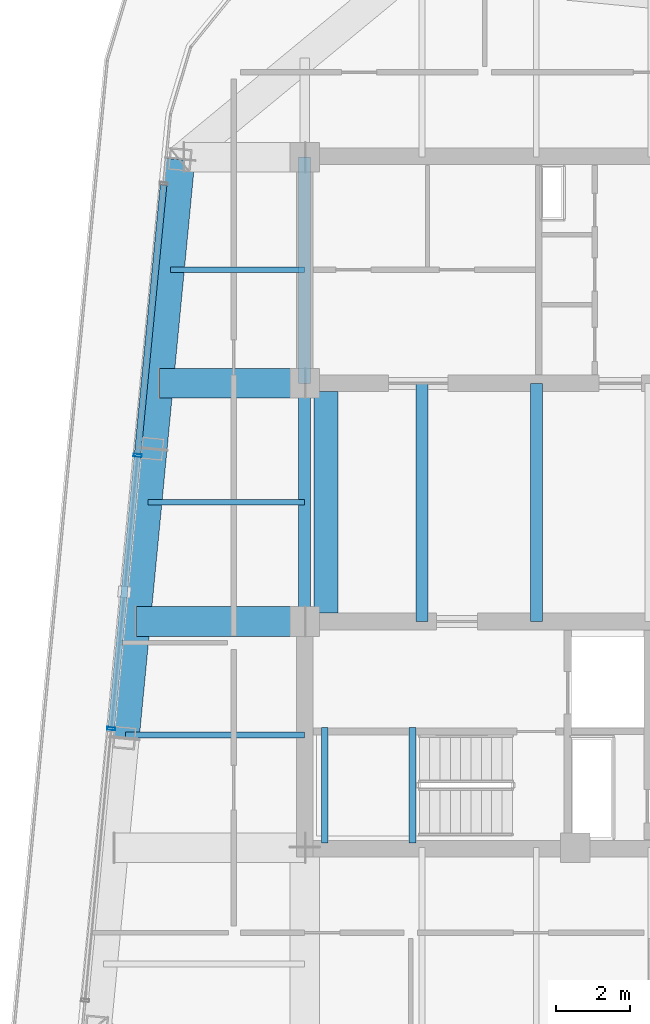
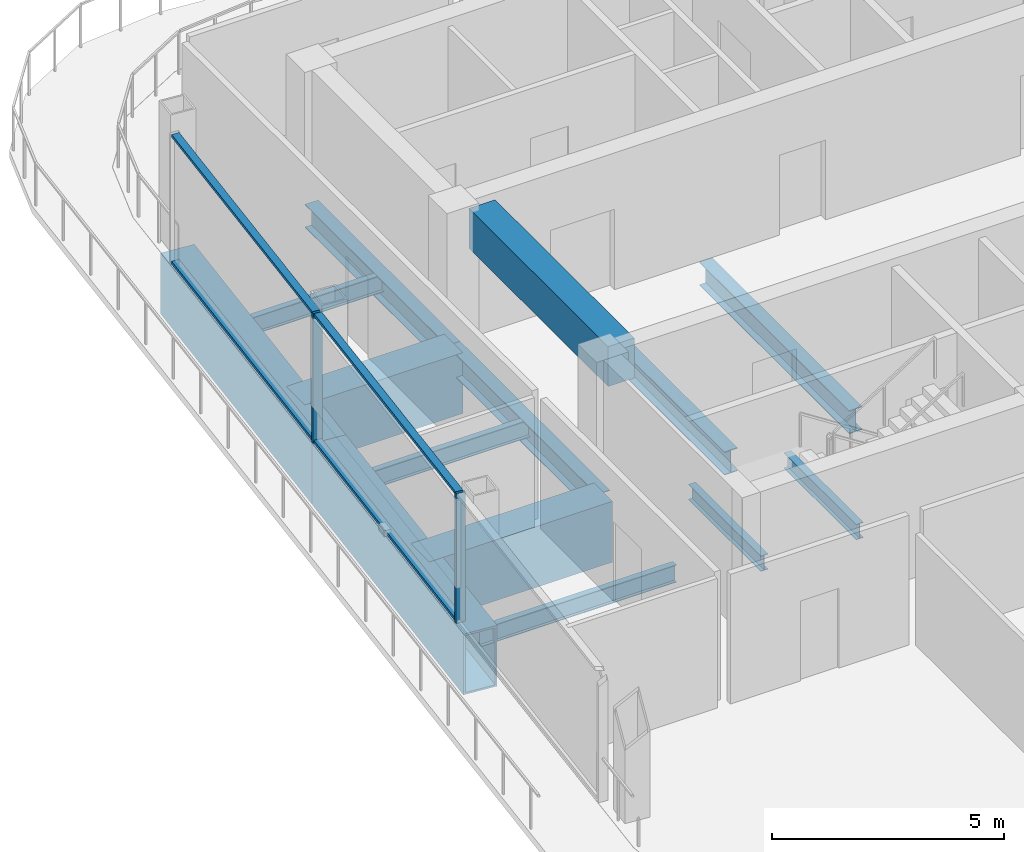
# One storey, part 4 of 20: 14 beams, 6 members, 1 element without a shape of its own.
"""IFC4 building model written with IfcOpenShell, lengths in metres."""

from ifc_helpers import new_model, si_unit, direction, frame, origin, origin_2d, place, context, subcontext, project, spatial, rectangle, hollow_rectangle, i_section, extrude, material, layer, layer_set, material_profile, profile_set, type_object, element, aggregate, save


model = new_model("IFC4")

# Units and contexts
model_context = context("Model", 3, precision=1e-05, world=origin(), true_north=direction((0.0, 1.0)))
body_context = subcontext(model_context, "Body", "Model", "MODEL_VIEW")
ifc_project = project(units=[si_unit("LENGTHUNIT", "METRE"), si_unit("AREAUNIT", "SQUARE_METRE"), si_unit("VOLUMEUNIT", "CUBIC_METRE"), si_unit("PLANEANGLEUNIT", "RADIAN"), si_unit("MASSUNIT", "GRAM", prefix="KILO")], contexts=[model_context])

# Site, building, storey
site_placement = place(None, origin())
site = spatial("IfcSite", under=ifc_project, at=site_placement, CompositionType="ELEMENT")
building_placement = place(site_placement, origin())
building = spatial("IfcBuilding", under=site, at=building_placement, Name="Qhalaya Broadcast Tower", CompositionType="ELEMENT")
storey_placement = place(building_placement, frame((0.0, 0.0, 273.35009765625)))
storey = spatial("IfcBuildingStorey", under=building, at=storey_placement, Name="L81", CompositionType="ELEMENT", Elevation=273.35009765625)

# Beams
ifc_material_1 = material(Name="Structural Steel ASTM A992 Grade 50", Category="steel")
ifc_material_profile_1 = material_profile(ifc_material_1, i_section(OverallWidth=0.154052734375, OverallDepth=0.458984375, WebThickness=0.009033203125, FlangeThickness=0.015380859375, at=origin_2d()), Name="W18X46")
ifc_profile_set_1 = profile_set([ifc_material_profile_1], Name="Structural Steel ASTM A992 Grade 50")
beam_type_1 = type_object("IfcBeamType", Name="Composite Floor Joist J04", PredefinedType="JOIST", material=ifc_profile_set_1)
beam_1_placement = place(storey_placement, frame((-14.228759765625, -5.699951171875, -0.419677734375), z_axis=(1.0, 0.0, 0.0), x_axis=(0.0, 1.0, 0.0)))
element("IfcBeam", 1, at=beam_1_placement, inside=storey, type_object=beam_type_1, Name="L81 J04 L81-JWE3W-1", PredefinedType="JOIST", context=body_context, shape_type="SweptSolid", body=[
    extrude(i_section(OverallWidth=0.154052734375, OverallDepth=0.458984375, WebThickness=0.009033203125, FlangeThickness=0.015380859375, at=origin_2d()), origin(), (0.0, 0.0, 1.0), 4.853759765625),
])
beam_2_placement = place(storey_placement, frame((-13.622314453125, 0.60009765625, -0.419677734375), z_axis=(1.0, 0.0, 0.0), x_axis=(0.0, 1.0, 0.0)))
element("IfcBeam", 2, at=beam_2_placement, inside=storey, type_object=beam_type_1, Name="L81 J04 L81-JWE4W-1", PredefinedType="JOIST", context=body_context, shape_type="SweptSolid", body=[
    extrude(i_section(OverallWidth=0.154052734375, OverallDepth=0.458984375, WebThickness=0.009033203125, FlangeThickness=0.015380859375, at=origin_2d()), origin(), (0.0, 0.0, 1.0), 4.247314453125),
])
beam_3_placement = place(storey_placement, frame((-13.015625, 6.89990234375, -0.419677734375), z_axis=(1.0, 0.0, 0.0), x_axis=(0.0, 1.0, 0.0)))
element("IfcBeam", 3, at=beam_3_placement, inside=storey, type_object=beam_type_1, Name="L81 J04 L81-JWE5W-1", PredefinedType="JOIST", context=body_context, shape_type="SweptSolid", body=[
    extrude(i_section(OverallWidth=0.154052734375, OverallDepth=0.458984375, WebThickness=0.009033203125, FlangeThickness=0.015380859375, at=origin_2d()), origin(), (0.0, 0.0, 1.0), 3.640625),
])
ifc_material_profile_2 = material_profile(ifc_material_1, i_section(OverallWidth=0.323974609375, OverallDepth=0.612060546875, WebThickness=0.0126953125, FlangeThickness=0.01904296875, at=origin_2d()), Name="W24X104")
ifc_profile_set_2 = profile_set([ifc_material_profile_2], Name="Structural Steel ASTM A992 Grade 50")
beam_type_2 = type_object("IfcBeamType", Name="Core Frame Tie Beam B04", PredefinedType="BEAM", material=ifc_profile_set_2)
beam_4_placement = place(storey_placement, frame((-9.375, 3.824951171875, -0.49609375), z_axis=(0.0, 1.0, 0.0), x_axis=(-1.0, 0.0, 0.0)))
element("IfcBeam", 4, at=beam_4_placement, inside=storey, type_object=beam_type_2, Name="L81 B04 L81-CCN2", PredefinedType="BEAM", context=body_context, shape_type="SweptSolid", body=[
    extrude(i_section(OverallWidth=0.323974609375, OverallDepth=0.612060546875, WebThickness=0.0126953125, FlangeThickness=0.01904296875, at=origin_2d()), origin(), (0.0, 0.0, 1.0), 6.125),
])
for number, where, z_axis, x_axis, name in (
    (5, (-9.375, -2.625, -0.49609375), (0.0, 1.0, 0.0), (-1.0, 0.0, 0.0), "L81 B04 L81-CCW"),
    (6, (-6.199951171875, -2.625, -0.49609375), (0.0, 1.0, 0.0), (-1.0, 0.0, 0.0), "L81 B04 L81-JC1-1"),
    (7, (-3.10009765625, -2.625, -0.49609375), (0.0, 1.0, 0.0), (-1.0, 0.0, 0.0), "L81 B04 L81-JC2-1"),
):
    element("IfcBeam", number, at=place(storey_placement, frame(where, z_axis=z_axis, x_axis=x_axis)), inside=storey, type_object=beam_type_2, Name=name, PredefinedType="BEAM", context=body_context, shape_type="SweptSolid", body=[
        extrude(i_section(OverallWidth=0.323974609375, OverallDepth=0.612060546875, WebThickness=0.0126953125, FlangeThickness=0.01904296875, at=origin_2d()), origin(), (0.0, 0.0, 1.0), 6.449951171875),
    ])
ifc_material_2 = material(Name="Concrete C60/75", Category="concrete")
ifc_material_profile_3 = material_profile(ifc_material_2, rectangle(XDim=0.64990234375, YDim=1.050048828125, at=origin_2d()), Name="RC-CB 650x1050")
ifc_profile_set_3 = profile_set([ifc_material_profile_3], Name="Concrete C60/75")
beam_type_3 = type_object("IfcBeamType", Name="Split-Core RC Coupling Lintel CB1", PredefinedType="LINTEL", material=ifc_profile_set_3)
beam_5_placement = place(storey_placement, frame((-8.800048828125, -2.39990234375, 2.885009765625), z_axis=(0.0, 1.0, 0.0), x_axis=(-1.0, 0.0, 0.0)))
element("IfcBeam", 8, at=beam_5_placement, inside=storey, type_object=beam_type_3, Name="L81 Core Coupling Lintel Beam W", PredefinedType="LINTEL", context=body_context, shape_type="SweptSolid", body=[
    extrude(rectangle(XDim=0.64990234375, YDim=1.050048828125, at=origin_2d()), origin(), (0.0, 0.0, 1.0), 6.0),
])

# Curtain wall, members
ifc_material_3 = material(Name="Solar-Control Low-E Triple Glazing", Category="glass")
ifc_layer = layer(ifc_material_3, 0.219970703125, Name="Solar-Control Low-E Triple Glazing")
ifc_layer_set = layer_set([ifc_layer], Name="Solar-Control Low-E Triple Glazing")
curtain_wall_type = type_object("IfcCurtainWallType", Name="Crown Garden & Observation Windscreen Curtain Wall CW-06", PredefinedType="NOTDEFINED", material=ifc_layer_set)
curtain_wall_placement = place(storey_placement, origin())
curtain_wall = element("IfcCurtainWall", 9, at=curtain_wall_placement, inside=storey, type_object=curtain_wall_type, Name="L81 Unitised Curtain Wall L81-CW-W", PredefinedType="NOTDEFINED")
ifc_material_4 = material(Name="Anodised Aluminium 6063-T6", Category="aluminium")
ifc_material_profile_4 = material_profile(ifc_material_4, hollow_rectangle(XDim=0.074951171875, YDim=0.219970703125, WallThickness=0.00390625, at=origin_2d()), Name="ALU-MUL 75x220x4")
ifc_profile_set_4 = profile_set([ifc_material_profile_4], Name="Anodised Aluminium 6063-T6")
member_type_1 = type_object("IfcMemberType", Name="Unitised Curtain-Wall Mullion M01", PredefinedType="MULLION", material=ifc_profile_set_4)
member_1_placement = place(storey_placement, frame((-13.9013671875, 1.873291015625, 0.0), z_axis=(0.0, 0.0, 1.0), x_axis=(-0.095847667974, -0.995396013928, 0.0)))
member_1 = element("IfcMember", 10, at=member_1_placement, type_object=member_type_1, Name="CW-06 mullion 2", PredefinedType="MULLION", context=body_context, shape_type="SweptSolid", body=[
    extrude(hollow_rectangle(XDim=0.074951171875, YDim=0.219970703125, WallThickness=0.00390625, at=origin_2d()), origin(), (0.0, 0.0, 1.0), 3.409912109375),
])
member_2_placement = place(storey_placement, frame((-14.614013671875, -5.52587890625, 0.0), z_axis=(0.0, 0.0, 1.0), x_axis=(-0.095847667974, -0.995396013928, 0.0)))
member_2 = element("IfcMember", 11, at=member_2_placement, type_object=member_type_1, Name="CW-06 mullion 3", PredefinedType="MULLION", context=body_context, shape_type="SweptSolid", body=[
    extrude(hollow_rectangle(XDim=0.074951171875, YDim=0.219970703125, WallThickness=0.00390625, at=origin_2d()), origin(), (0.0, 0.0, 1.0), 3.409912109375),
])
ifc_material_profile_5 = material_profile(ifc_material_4, hollow_rectangle(XDim=0.074951171875, YDim=0.179931640625, WallThickness=0.00390625, at=origin_2d()), Name="ALU-TRN 75x180x4")
ifc_profile_set_5 = profile_set([ifc_material_profile_5], Name="Anodised Aluminium 6063-T6")
member_type_2 = type_object("IfcMemberType", Name="Unitised Curtain-Wall Transom T01", PredefinedType="USERDEFINED", material=ifc_profile_set_5)
member_3_placement = place(storey_placement, frame((-13.1962890625, 9.19775390625, 0.037353515625), z_axis=(-0.095844579162, -0.995396311348, 0.0), x_axis=(0.0, 0.0, 1.0)))
member_3 = element("IfcMember", 12, at=member_3_placement, type_object=member_type_2, Name="CW-06 transom 1.1", ObjectType="TRANSOM", PredefinedType="USERDEFINED", context=body_context, shape_type="SweptSolid", body=[
    extrude(hollow_rectangle(XDim=0.074951171875, YDim=0.179931640625, WallThickness=0.00390625, at=origin_2d()), origin(), (0.0, 0.0, 1.0), 7.32080078125),
])
member_4_placement = place(storey_placement, frame((-13.1962890625, 9.19775390625, 3.372314453125), z_axis=(-0.095844579162, -0.995396311348, 0.0), x_axis=(0.0, 0.0, 1.0)))
member_4 = element("IfcMember", 13, at=member_4_placement, type_object=member_type_2, Name="CW-06 transom 1.2", ObjectType="TRANSOM", PredefinedType="USERDEFINED", context=body_context, shape_type="SweptSolid", body=[
    extrude(hollow_rectangle(XDim=0.074951171875, YDim=0.179931640625, WallThickness=0.00390625, at=origin_2d()), origin(), (0.0, 0.0, 1.0), 7.32080078125),
])
member_5_placement = place(storey_placement, frame((-13.905029296875, 1.8359375, 0.037353515625), z_axis=(-0.095853387986, -0.995395463126, 0.0), x_axis=(0.0, 0.0, 1.0)))
member_5 = element("IfcMember", 14, at=member_5_placement, type_object=member_type_2, Name="CW-06 transom 2.1", ObjectType="TRANSOM", PredefinedType="USERDEFINED", context=body_context, shape_type="SweptSolid", body=[
    extrude(hollow_rectangle(XDim=0.074951171875, YDim=0.179931640625, WallThickness=0.00390625, at=origin_2d()), origin(), (0.0, 0.0, 1.0), 7.3583984375),
])
member_6_placement = place(storey_placement, frame((-13.905029296875, 1.8359375, 3.372314453125), z_axis=(-0.095853387986, -0.995395463126, 0.0), x_axis=(0.0, 0.0, 1.0)))
member_6 = element("IfcMember", 15, at=member_6_placement, type_object=member_type_2, Name="CW-06 transom 2.2", ObjectType="TRANSOM", PredefinedType="USERDEFINED", context=body_context, shape_type="SweptSolid", body=[
    extrude(hollow_rectangle(XDim=0.074951171875, YDim=0.179931640625, WallThickness=0.00390625, at=origin_2d()), origin(), (0.0, 0.0, 1.0), 7.3583984375),
])
aggregate(curtain_wall, [member_1, member_2, member_3, member_4, member_5, member_6])

# Beams
ifc_material_5 = material(Name="Structural Steel ASTM A572 Grade 50", Category="steel")
ifc_material_profile_6 = material_profile(ifc_material_5, hollow_rectangle(XDim=0.800048828125, YDim=1.60009765625, WallThickness=0.050048828125, at=origin_2d()), Name="BOX 800x1600x50")
ifc_profile_set_6 = profile_set([ifc_material_profile_6], Name="Structural Steel ASTM A572 Grade 50")
beam_type_4 = type_object("IfcBeamType", Name="Upper Cantilever Transfer Box Girder TG2", PredefinedType="USERDEFINED", material=ifc_profile_set_6)
beam_6_placement = place(storey_placement, frame((-12.74853515625, 9.883056640625, -0.989990234375), z_axis=(-0.095834223619, -0.995397308407, 0.0), x_axis=(0.995397308407, -0.095834223619, 0.0)))
element("IfcBeam", 16, at=beam_6_placement, inside=storey, type_object=beam_type_4, Name="L81 TG2 L81-SPR-13", ObjectType="GIRDER", PredefinedType="USERDEFINED", context=body_context, shape_type="SweptSolid", body=[
    extrude(hollow_rectangle(XDim=0.800048828125, YDim=1.60009765625, WallThickness=0.050048828125, at=origin_2d()), origin(), (0.0, 0.0, 1.0), 7.86669921875),
])
beam_7_placement = place(storey_placement, frame((-13.50244140625, 2.052490234375, -0.989990234375), z_axis=(-0.095837184179, -0.995397023367, 0.0), x_axis=(0.995397023367, -0.095837184179, 0.0)))
element("IfcBeam", 17, at=beam_7_placement, inside=storey, type_object=beam_type_4, Name="L81 TG2 L81-SPR-14", ObjectType="GIRDER", PredefinedType="USERDEFINED", context=body_context, shape_type="SweptSolid", body=[
    extrude(hollow_rectangle(XDim=0.800048828125, YDim=1.60009765625, WallThickness=0.050048828125, at=origin_2d()), origin(), (0.0, 0.0, 1.0), 7.866455078125),
])
beam_8_placement = place(storey_placement, frame((-13.9326171875, -2.625, -0.989990234375), z_axis=(1.0, 0.0, 0.0), x_axis=(0.0, 1.0, 0.0)))
element("IfcBeam", 18, at=beam_8_placement, inside=storey, type_object=beam_type_4, Name="L81 TG2 L81-PGYW2-1", ObjectType="GIRDER", PredefinedType="USERDEFINED", context=body_context, shape_type="SweptSolid", body=[
    extrude(hollow_rectangle(XDim=0.800048828125, YDim=1.60009765625, WallThickness=0.050048828125, at=origin_2d()), origin(), (0.0, 0.0, 1.0), 4.5576171875),
])
beam_9_placement = place(storey_placement, frame((-13.311767578125, 3.824951171875, -0.989990234375), z_axis=(1.0, 0.0, 0.0), x_axis=(0.0, 1.0, 0.0)))
element("IfcBeam", 19, at=beam_9_placement, inside=storey, type_object=beam_type_4, Name="L81 TG2 L81-PGYW3-1", ObjectType="GIRDER", PredefinedType="USERDEFINED", context=body_context, shape_type="SweptSolid", body=[
    extrude(hollow_rectangle(XDim=0.800048828125, YDim=1.60009765625, WallThickness=0.050048828125, at=origin_2d()), origin(), (0.0, 0.0, 1.0), 3.936767578125),
])
ifc_material_profile_7 = material_profile(ifc_material_1, i_section(OverallWidth=0.177978515625, OverallDepth=0.406005859375, WebThickness=0.0078125, FlangeThickness=0.0126953125, at=origin_2d()), Name="W16X40")
ifc_profile_set_7 = profile_set([ifc_material_profile_7], Name="Structural Steel ASTM A992 Grade 50")
beam_type_5 = type_object("IfcBeamType", Name="Upper Perimeter Spandrel Beam SP2", PredefinedType="SPANDREL", material=ifc_profile_set_7)
for number, where, z_axis, x_axis, name in (
    (20, (-8.830078125, -8.6201171875, 1.39697265625), (0.0, 1.0, 0.0), (-1.0, 0.0, 0.0), "L81 ST-2 Half-Landing Bearer Beam 1"),
    (21, (-6.455078125, -8.6201171875, 1.39697265625), (0.0, 1.0, 0.0), (-1.0, 0.0, 0.0), "L81 ST-2 Half-Landing Bearer Beam 2"),
):
    element("IfcBeam", number, at=place(storey_placement, frame(where, z_axis=z_axis, x_axis=x_axis)), inside=storey, type_object=beam_type_5, Name=name, PredefinedType="SPANDREL", context=body_context, shape_type="SweptSolid", body=[
        extrude(i_section(OverallWidth=0.177978515625, OverallDepth=0.406005859375, WebThickness=0.0078125, FlangeThickness=0.0126953125, at=origin_2d()), origin(), (0.0, 0.0, 1.0), 3.1201171875),
    ])

save(model, "model.ifc")
